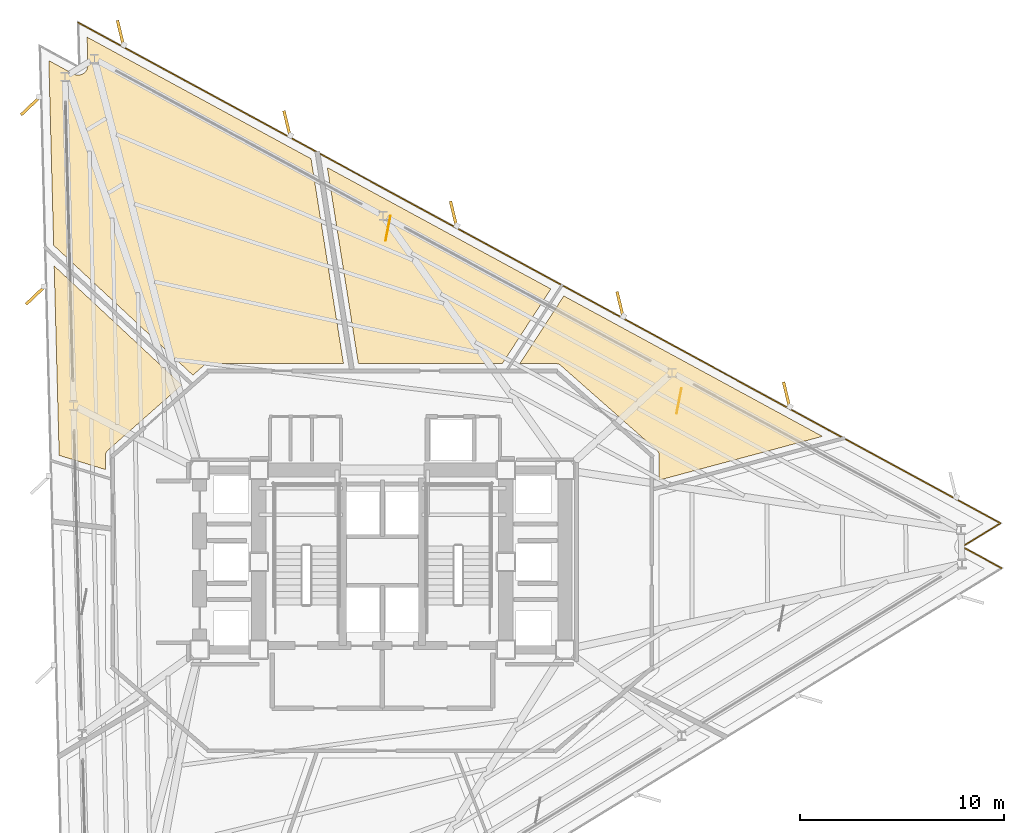
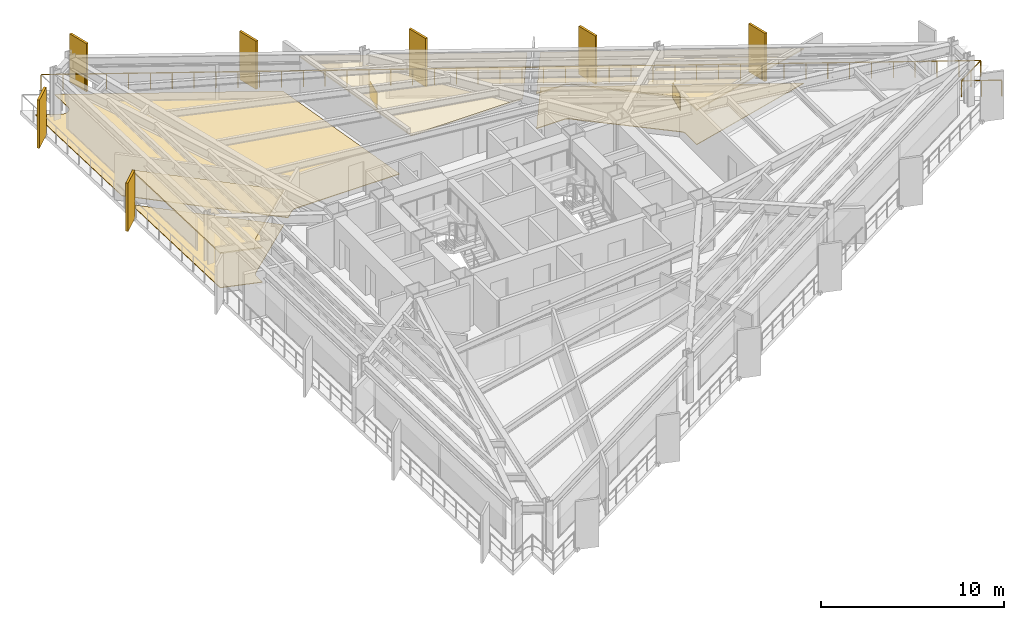
# One storey, part 14 of 14: 8 coverings, 7 shading devices, 1 railing.
"""IFC4 building model written with IfcOpenShell, lengths in metres."""

from ifc_helpers import new_model, si_unit, direction, frame, origin, origin_2d, place, context, subcontext, project, spatial, polyline, rectangle, outline, extrude, material, layer, layer_set, type_object, element, save


model = new_model("IFC4")

# Units and contexts
model_context = context("Model", 3, precision=1e-05, world=origin(), true_north=direction((0.0, 1.0)))
body_context = subcontext(model_context, "Body", "Model", "MODEL_VIEW")
ifc_project = project(units=[si_unit("LENGTHUNIT", "METRE"), si_unit("AREAUNIT", "SQUARE_METRE"), si_unit("VOLUMEUNIT", "CUBIC_METRE"), si_unit("PLANEANGLEUNIT", "RADIAN"), si_unit("MASSUNIT", "GRAM", prefix="KILO")], contexts=[model_context])

# Site, building, storey
site_placement = place(None, origin())
site = spatial("IfcSite", under=ifc_project, at=site_placement, CompositionType="ELEMENT")
building_placement = place(site_placement, origin())
building = spatial("IfcBuilding", under=site, at=building_placement, Name="Rocaltana Carrier Exchange", CompositionType="ELEMENT")
storey_placement = place(building_placement, frame((0.0, 0.0, 32.320068359375)))
storey = spatial("IfcBuildingStorey", under=building, at=storey_placement, Name="L10", CompositionType="ELEMENT", Elevation=32.320068359375)

# Coverings
ifc_material_1 = material(Name="Honed Bogota Sandstone Tile", Category="masonry")
ifc_layer_1 = layer(ifc_material_1, 0.0400390625)
ifc_layer_set_1 = layer_set([ifc_layer_1], Name="Honed Bogota Sandstone Tile")
covering_type_1 = type_object("IfcCoveringType", Name="Honed Stone Lobby Flooring 40", PredefinedType="FLOORING", material=ifc_layer_set_1)
covering_1_placement = place(storey_placement, origin())
element("IfcCovering", 1, at=covering_1_placement, inside=storey, type_object=covering_type_1, Name="L10 Peering Conference Room Finish Floor", PredefinedType="FLOORING", context=body_context, shape_type="SweptSolid", body=[
    extrude(outline(polyline([(21.55126953125, 6.1474609375), (13.56005859375, 4.006103515625), (13.56005859375, 5.199951171875), (13.559814453125, 5.213134765625), (13.559326171875, 5.220703125), (13.556884765625, 5.246826171875), (13.555908203125, 5.25439453125), (13.55078125, 5.2802734375), (13.549072265625, 5.28759765625), (13.541748046875, 5.31298828125), (13.539306640625, 5.320068359375), (13.529541015625, 5.344482421875), (13.526611328125, 5.351318359375), (13.5146484375, 5.375), (13.5107421875, 5.38134765625), (13.49658203125, 5.40380859375), (13.492431640625, 5.409912109375), (13.476318359375, 5.4306640625), (13.471435546875, 5.436279296875), (13.453369140625, 5.455810546875), (13.447998046875, 5.4609375), (13.438232421875, 5.469970703125), (8.73828125, 9.619873046875), (8.727294921875, 9.629150390625), (8.720703125, 9.63427734375), (8.697265625, 9.651123046875), (8.690185546875, 9.655517578125), (8.6650390625, 9.669921875), (8.65771484375, 9.673583984375), (8.631103515625, 9.68505859375), (8.62353515625, 9.68798828125), (8.595947265625, 9.697021484375), (8.587890625, 9.698974609375), (8.5595703125, 9.704833984375), (8.551513671875, 9.706298828125), (8.522705078125, 9.709228515625), (8.514404296875, 9.709716796875), (8.5, 9.7099609375), (6.735107421875, 9.7099609375), (8.886962890625, 13.023681640625), (21.55126953125, 6.1474609375)])), origin(), (0.0, 0.0, 1.0), 0.0400390625),
])
covering_2_placement = place(storey_placement, origin())
element("IfcCovering", 2, at=covering_2_placement, inside=storey, type_object=covering_type_1, Name="L10 Incident Briefing Room Finish Floor", PredefinedType="FLOORING", context=body_context, shape_type="SweptSolid", body=[
    extrude(outline(polyline([(-16.333984375, 24.54931640625), (-15.131103515625, 23.896484375), (-15.118896484375, 23.889892578125), (-15.100830078125, 23.88134765625), (-15.0751953125, 23.87060546875), (-15.056396484375, 23.86376953125), (-15.02978515625, 23.855712890625), (-15.01025390625, 23.8505859375), (-14.98291015625, 23.84521484375), (-14.96337890625, 23.84228515625), (-14.935546875, 23.839599609375), (-14.91552734375, 23.83837890625), (-14.8876953125, 23.838623046875), (-14.86767578125, 23.839599609375), (-14.840087890625, 23.84228515625), (-14.8203125, 23.845458984375), (-14.79296875, 23.85107421875), (-14.773681640625, 23.85595703125), (-14.746826171875, 23.8642578125), (-14.728271484375, 23.87109375), (-14.702392578125, 23.8818359375), (-14.6845703125, 23.890625), (-14.659912109375, 23.90380859375), (-14.64306640625, 23.914306640625), (-14.6201171875, 23.93017578125), (-14.60400390625, 23.942138671875), (-14.582763671875, 23.960205078125), (-14.568115234375, 23.9736328125), (-14.548583984375, 23.99365234375), (-14.535400390625, 24.0087890625), (-14.51806640625, 24.030517578125), (-14.506591796875, 24.046630859375), (-14.491455078125, 24.0703125), (-14.4814453125, 24.08740234375), (-14.46875, 24.1123046875), (-14.460693359375, 24.130615234375), (-14.450439453125, 24.156494140625), (-14.444091796875, 24.17529296875), (-14.4365234375, 24.202392578125), (-14.43212890625, 24.2216796875), (-14.42724609375, 24.249267578125), (-14.4248046875, 24.26904296875), (-14.4228515625, 24.296875), (-14.42236328125, 24.31689453125), (-14.42236328125, 24.330810546875), (-14.458251953125, 25.698974609375), (-3.49169921875, 19.74462890625), (-1.90234375, 9.7099609375), (-8.5, 9.7099609375), (-8.514404296875, 9.709716796875), (-8.522705078125, 9.709228515625), (-8.551513671875, 9.706298828125), (-8.5595703125, 9.704833984375), (-8.587890625, 9.698974609375), (-8.595947265625, 9.697021484375), (-8.62353515625, 9.68798828125), (-8.631103515625, 9.68505859375), (-8.65771484375, 9.673583984375), (-8.6650390625, 9.669921875), (-8.690185546875, 9.655517578125), (-8.697265625, 9.651123046875), (-8.720703125, 9.63427734375), (-8.727294921875, 9.629150390625), (-8.73828125, 9.619873046875), (-9.277587890625, 9.143798828125), (-16.09716796875, 15.5029296875), (-16.333984375, 24.54931640625)])), origin(), (0.0, 0.0, 1.0), 0.0400390625),
])
covering_3_placement = place(storey_placement, origin())
element("IfcCovering", 3, at=covering_3_placement, inside=storey, type_object=covering_type_1, Name="L10 Carrier Peering Suite Finish Floor", PredefinedType="FLOORING", context=body_context, shape_type="SweptSolid", body=[
    extrude(outline(polyline([(-16.07080078125, 14.493896484375), (-9.81982421875, 8.664794921875), (-13.438232421875, 5.469970703125), (-13.447998046875, 5.4609375), (-13.453369140625, 5.455810546875), (-13.471435546875, 5.436279296875), (-13.476318359375, 5.4306640625), (-13.492431640625, 5.409912109375), (-13.49658203125, 5.40380859375), (-13.5107421875, 5.38134765625), (-13.5146484375, 5.375), (-13.526611328125, 5.351318359375), (-13.529541015625, 5.344482421875), (-13.539306640625, 5.320068359375), (-13.541748046875, 5.31298828125), (-13.549072265625, 5.28759765625), (-13.55078125, 5.2802734375), (-13.555908203125, 5.25439453125), (-13.556884765625, 5.246826171875), (-13.559326171875, 5.220703125), (-13.559814453125, 5.213134765625), (-13.56005859375, 5.199951171875), (-13.56005859375, 4.522216796875), (-15.82763671875, 5.215576171875), (-16.07080078125, 14.493896484375)])), origin(), (0.0, 0.0, 1.0), 0.0400390625),
])
ifc_material_2 = material(Name="Anodised Aluminium 6063-T6", Category="aluminium")
ifc_layer_2 = layer(ifc_material_2, 0.0849609375)
ifc_layer_set_2 = layer_set([ifc_layer_2], Name="Anodised Aluminium 6063-T6")
covering_type_2 = type_object("IfcCoveringType", Name="Linear Baffle Acoustic Ceiling 85", PredefinedType="CEILING", material=ifc_layer_set_2)
covering_4_placement = place(storey_placement, frame((0.0, 0.0, 2.282958984375)))
element("IfcCovering", 4, at=covering_4_placement, inside=storey, type_object=covering_type_2, Name="L10 Peering Conference Room Acoustic Ceiling", PredefinedType="CEILING", context=body_context, shape_type="SweptSolid", body=[
    extrude(outline(polyline([(21.55126953125, 6.1474609375), (13.56005859375, 4.006103515625), (13.56005859375, 5.199951171875), (13.559814453125, 5.213134765625), (13.559326171875, 5.220703125), (13.556884765625, 5.246826171875), (13.555908203125, 5.25439453125), (13.55078125, 5.2802734375), (13.549072265625, 5.28759765625), (13.541748046875, 5.31298828125), (13.539306640625, 5.320068359375), (13.529541015625, 5.344482421875), (13.526611328125, 5.351318359375), (13.5146484375, 5.375), (13.5107421875, 5.38134765625), (13.49658203125, 5.40380859375), (13.492431640625, 5.409912109375), (13.476318359375, 5.4306640625), (13.471435546875, 5.436279296875), (13.453369140625, 5.455810546875), (13.447998046875, 5.4609375), (13.438232421875, 5.469970703125), (8.73828125, 9.619873046875), (8.727294921875, 9.629150390625), (8.720703125, 9.63427734375), (8.697265625, 9.651123046875), (8.690185546875, 9.655517578125), (8.6650390625, 9.669921875), (8.65771484375, 9.673583984375), (8.631103515625, 9.68505859375), (8.62353515625, 9.68798828125), (8.595947265625, 9.697021484375), (8.587890625, 9.698974609375), (8.5595703125, 9.704833984375), (8.551513671875, 9.706298828125), (8.522705078125, 9.709228515625), (8.514404296875, 9.709716796875), (8.5, 9.7099609375), (6.735107421875, 9.7099609375), (8.886962890625, 13.023681640625), (21.55126953125, 6.1474609375)])), origin(), (0.0, 0.0, 1.0), 0.0849609375),
])
covering_5_placement = place(storey_placement, frame((0.0, 0.0, 2.282958984375)))
element("IfcCovering", 5, at=covering_5_placement, inside=storey, type_object=covering_type_2, Name="L10 Quiet Focus Lounge Acoustic Ceiling", PredefinedType="CEILING", context=body_context, shape_type="SweptSolid", body=[
    extrude(outline(polyline([(8.252197265625, 13.3681640625), (5.87646484375, 9.7099609375), (-1.17333984375, 9.7099609375), (-2.694091796875, 19.3115234375), (8.252197265625, 13.3681640625)])), origin(), (0.0, 0.0, 1.0), 0.0849609375),
])
covering_6_placement = place(storey_placement, frame((0.0, 0.0, 2.282958984375)))
element("IfcCovering", 6, at=covering_6_placement, inside=storey, type_object=covering_type_2, Name="L10 Carrier Peering Suite Acoustic Ceiling", PredefinedType="CEILING", context=body_context, shape_type="SweptSolid", body=[
    extrude(outline(polyline([(-16.07080078125, 14.493896484375), (-9.81982421875, 8.664794921875), (-13.438232421875, 5.469970703125), (-13.447998046875, 5.4609375), (-13.453369140625, 5.455810546875), (-13.471435546875, 5.436279296875), (-13.476318359375, 5.4306640625), (-13.492431640625, 5.409912109375), (-13.49658203125, 5.40380859375), (-13.5107421875, 5.38134765625), (-13.5146484375, 5.375), (-13.526611328125, 5.351318359375), (-13.529541015625, 5.344482421875), (-13.539306640625, 5.320068359375), (-13.541748046875, 5.31298828125), (-13.549072265625, 5.28759765625), (-13.55078125, 5.2802734375), (-13.555908203125, 5.25439453125), (-13.556884765625, 5.246826171875), (-13.559326171875, 5.220703125), (-13.559814453125, 5.213134765625), (-13.56005859375, 5.199951171875), (-13.56005859375, 4.522216796875), (-15.82763671875, 5.215576171875), (-16.07080078125, 14.493896484375)])), origin(), (0.0, 0.0, 1.0), 0.0849609375),
])
ifc_material_3 = material(Name="Honed Piedra Muneca Sandstone", Category="masonry")
ifc_layer_3 = layer(ifc_material_3, 0.034912109375)
ifc_layer_set_3 = layer_set([ifc_layer_3], Name="Honed Piedra Muneca Sandstone")
covering_type_3 = type_object("IfcCoveringType", Name="Stone Facade Cladding 35", PredefinedType="CLADDING", material=ifc_layer_set_3)
for number, where, z_axis, x_axis, name in (
    (7, (14.529052734375, 7.883544921875, 0.0), (0.0, 0.0, 1.0), (0.190808995377, 0.981627183448, 0.0), "L10 Stone Facade Cladding Panel 6"),
    (8, (0.277587890625, 16.33984375, 0.0), (0.0, 0.0, 1.0), (0.190808995377, 0.981627183448, 0.0), "L10 Stone Facade Cladding Panel 7"),
):
    element("IfcCovering", number, at=place(storey_placement, frame(where, z_axis=z_axis, x_axis=x_axis)), inside=storey, type_object=covering_type_3, Name=name, PredefinedType="CLADDING", context=body_context, shape_type="SweptSolid", body=[
        extrude(rectangle(XDim=1.25, YDim=0.034912109375, at=origin_2d()), origin(), (0.0, 0.0, 1.0), 1.050048828125),
    ])

# Shading devices
ifc_material_4 = material(Name="Honed Bogota Sandstone & Concrete C45/55", Category="masonry")
ifc_layer_4 = layer(ifc_material_4, 0.139892578125)
ifc_layer_set_4 = layer_set([ifc_layer_4], Name="Honed Bogota Sandstone & Concrete C45/55")
shading_device_type = type_object("IfcShadingDeviceType", Name="Vertical Sandstone Shading Fin 1320x140", PredefinedType="USERDEFINED", material=ifc_layer_set_4)
for number, where, z_axis, x_axis, name in (
    (9, (19.802001953125, 8.16748046875, -0.1201171875), (0.0, 0.0, 1.0), (-0.233445363856, 0.972369920398, 0.0), "L10 Sandstone Vertical Fin F1-02"),
    (10, (11.646484375, 12.595703125, -0.1201171875), (0.0, 0.0, 1.0), (-0.233445363856, 0.972369920398, 0.0), "L10 Sandstone Vertical Fin F1-03"),
    (11, (3.4912109375, 17.023681640625, -0.1201171875), (0.0, 0.0, 1.0), (-0.233445363856, 0.972369920398, 0.0), "L10 Sandstone Vertical Fin F1-04"),
    (12, (-4.664306640625, 21.45166015625, -0.1201171875), (0.0, 0.0, 1.0), (-0.233445363856, 0.972369920398, 0.0), "L10 Sandstone Vertical Fin F1-05"),
    (13, (-12.819580078125, 25.879638671875, -0.1201171875), (0.0, 0.0, 1.0), (-0.233445363856, 0.972369920398, 0.0), "L10 Sandstone Vertical Fin F1-06"),
    (14, (-17.21728515625, 22.342041015625, -0.1201171875), (0.0, 0.0, 1.0), (-0.725374371012, -0.688354575694, 0.0), "L10 Sandstone Vertical Fin F2-01"),
    (15, (-16.974365234375, 13.065185546875, -0.1201171875), (0.0, 0.0, 1.0), (-0.725374371012, -0.688354575694, 0.0), "L10 Sandstone Vertical Fin F2-02"),
):
    element("IfcShadingDevice", number, at=place(storey_placement, frame(where, z_axis=z_axis, x_axis=x_axis)), inside=storey, type_object=shading_device_type, Name=name, ObjectType="FIN", PredefinedType="USERDEFINED", context=body_context, shape_type="SweptSolid", body=[
        extrude(rectangle(XDim=1.320068359375, YDim=0.139892578125, at=origin_2d()), origin(), (0.0, 0.0, 1.0), 3.218017578125),
    ])

# Railing
ifc_material_5 = material(Name="Powder-Coated Aluminium 6063-T6", Category="aluminium")
ifc_layer_5 = layer(ifc_material_5, 0.06005859375)
ifc_layer_set_5 = layer_set([ifc_layer_5], Name="Powder-Coated Aluminium 6063-T6")
railing_type = type_object("IfcRailingType", Name="Wind-Floor & Terrace Perimeter Guardrail 1100", PredefinedType="GUARDRAIL", material=ifc_layer_set_5)
railing_placement = place(storey_placement, frame((-14.897216796875, 26.415283203125, 0.0)))
element("IfcRailing", 16, at=railing_placement, inside=storey, type_object=railing_type, Name="L10 Perimeter Balcony Guardrail 3", PredefinedType="GUARDRAIL", context=body_context, shape_type="SweptSolid", body=[
    extrude(rectangle(XDim=0.048095703125, YDim=0.048095703125, at=origin_2d()), frame((0.0, 0.0, 1.076171875), z_axis=(0.878817120119, -0.477158746526, 0.0), x_axis=(0.477158746526, 0.878817120119, 0.0)), (0.0, 0.0, 1.0), 51.39208984375),
    extrude(rectangle(XDim=0.048095703125, YDim=0.048095703125, at=origin_2d()), frame((45.164306640625, -24.522216796875, 1.076171875), z_axis=(-0.852598062579, -0.522567262356, 0.0), x_axis=(0.522567262356, -0.852598062579, 0.0)), (0.0, 0.0, 1.0), 2.199951171875),
    extrude(rectangle(XDim=0.048095703125, YDim=0.048095703125, at=origin_2d()), frame((43.28857421875, -25.671875, 1.076171875), z_axis=(0.878801578058, -0.477187370331, 0.0), x_axis=(0.477187370331, 0.878801578058, 0.0)), (0.0, 0.0, 1.0), 2.199951171875),
    extrude(rectangle(XDim=0.0419921875, YDim=0.0419921875, at=origin_2d()), origin(), (0.0, 0.0, 1.0), 1.052001953125),
    extrude(rectangle(XDim=0.0419921875, YDim=0.0419921875, at=origin_2d()), frame((1.05029296875, -0.5703125, 0.0)), (0.0, 0.0, 1.0), 1.052001953125),
    extrude(rectangle(XDim=0.0419921875, YDim=0.0419921875, at=origin_2d()), frame((2.1005859375, -1.140625, 0.0)), (0.0, 0.0, 1.0), 1.052001953125),
    extrude(rectangle(XDim=0.0419921875, YDim=0.0419921875, at=origin_2d()), frame((3.15087890625, -1.7109375, 0.0)), (0.0, 0.0, 1.0), 1.052001953125),
    extrude(rectangle(XDim=0.0419921875, YDim=0.0419921875, at=origin_2d()), frame((4.201416015625, -2.28125, 0.0)), (0.0, 0.0, 1.0), 1.052001953125),
    extrude(rectangle(XDim=0.0419921875, YDim=0.0419921875, at=origin_2d()), frame((5.251708984375, -2.851318359375, 0.0)), (0.0, 0.0, 1.0), 1.052001953125),
    extrude(rectangle(XDim=0.0419921875, YDim=0.0419921875, at=origin_2d()), frame((6.302001953125, -3.421630859375, 0.0)), (0.0, 0.0, 1.0), 1.052001953125),
    extrude(rectangle(XDim=0.0419921875, YDim=0.0419921875, at=origin_2d()), frame((7.352294921875, -3.991943359375, 0.0)), (0.0, 0.0, 1.0), 1.052001953125),
    extrude(rectangle(XDim=0.0419921875, YDim=0.0419921875, at=origin_2d()), frame((8.402587890625, -4.562255859375, 0.0)), (0.0, 0.0, 1.0), 1.052001953125),
    extrude(rectangle(XDim=0.0419921875, YDim=0.0419921875, at=origin_2d()), frame((9.452880859375, -5.132568359375, 0.0)), (0.0, 0.0, 1.0), 1.052001953125),
    extrude(rectangle(XDim=0.0419921875, YDim=0.0419921875, at=origin_2d()), frame((10.50341796875, -5.702880859375, 0.0)), (0.0, 0.0, 1.0), 1.052001953125),
    extrude(rectangle(XDim=0.0419921875, YDim=0.0419921875, at=origin_2d()), frame((11.5537109375, -6.273193359375, 0.0)), (0.0, 0.0, 1.0), 1.052001953125),
    extrude(rectangle(XDim=0.0419921875, YDim=0.0419921875, at=origin_2d()), frame((12.60400390625, -6.843505859375, 0.0)), (0.0, 0.0, 1.0), 1.052001953125),
    extrude(rectangle(XDim=0.0419921875, YDim=0.0419921875, at=origin_2d()), frame((13.654296875, -7.41357421875, 0.0)), (0.0, 0.0, 1.0), 1.052001953125),
    extrude(rectangle(XDim=0.0419921875, YDim=0.0419921875, at=origin_2d()), frame((14.70458984375, -7.98388671875, 0.0)), (0.0, 0.0, 1.0), 1.052001953125),
    extrude(rectangle(XDim=0.0419921875, YDim=0.0419921875, at=origin_2d()), frame((15.7548828125, -8.55419921875, 0.0)), (0.0, 0.0, 1.0), 1.052001953125),
    extrude(rectangle(XDim=0.0419921875, YDim=0.0419921875, at=origin_2d()), frame((16.805419921875, -9.12451171875, 0.0)), (0.0, 0.0, 1.0), 1.052001953125),
    extrude(rectangle(XDim=0.0419921875, YDim=0.0419921875, at=origin_2d()), frame((17.855712890625, -9.69482421875, 0.0)), (0.0, 0.0, 1.0), 1.052001953125),
    extrude(rectangle(XDim=0.0419921875, YDim=0.0419921875, at=origin_2d()), frame((18.906005859375, -10.26513671875, 0.0)), (0.0, 0.0, 1.0), 1.052001953125),
    extrude(rectangle(XDim=0.0419921875, YDim=0.0419921875, at=origin_2d()), frame((19.956298828125, -10.83544921875, 0.0)), (0.0, 0.0, 1.0), 1.052001953125),
    extrude(rectangle(XDim=0.0419921875, YDim=0.0419921875, at=origin_2d()), frame((21.006591796875, -11.40576171875, 0.0)), (0.0, 0.0, 1.0), 1.052001953125),
    extrude(rectangle(XDim=0.0419921875, YDim=0.0419921875, at=origin_2d()), frame((22.056884765625, -11.97607421875, 0.0)), (0.0, 0.0, 1.0), 1.052001953125),
    extrude(rectangle(XDim=0.0419921875, YDim=0.0419921875, at=origin_2d()), frame((23.107421875, -12.546142578125, 0.0)), (0.0, 0.0, 1.0), 1.052001953125),
    extrude(rectangle(XDim=0.0419921875, YDim=0.0419921875, at=origin_2d()), frame((24.15771484375, -13.116455078125, 0.0)), (0.0, 0.0, 1.0), 1.052001953125),
    extrude(rectangle(XDim=0.0419921875, YDim=0.0419921875, at=origin_2d()), frame((25.2080078125, -13.686767578125, 0.0)), (0.0, 0.0, 1.0), 1.052001953125),
    extrude(rectangle(XDim=0.0419921875, YDim=0.0419921875, at=origin_2d()), frame((26.25830078125, -14.257080078125, 0.0)), (0.0, 0.0, 1.0), 1.052001953125),
    extrude(rectangle(XDim=0.0419921875, YDim=0.0419921875, at=origin_2d()), frame((27.30859375, -14.827392578125, 0.0)), (0.0, 0.0, 1.0), 1.052001953125),
    extrude(rectangle(XDim=0.0419921875, YDim=0.0419921875, at=origin_2d()), frame((28.35888671875, -15.397705078125, 0.0)), (0.0, 0.0, 1.0), 1.052001953125),
    extrude(rectangle(XDim=0.0419921875, YDim=0.0419921875, at=origin_2d()), frame((29.409423828125, -15.968017578125, 0.0)), (0.0, 0.0, 1.0), 1.052001953125),
    extrude(rectangle(XDim=0.0419921875, YDim=0.0419921875, at=origin_2d()), frame((30.459716796875, -16.538330078125, 0.0)), (0.0, 0.0, 1.0), 1.052001953125),
    extrude(rectangle(XDim=0.0419921875, YDim=0.0419921875, at=origin_2d()), frame((31.510009765625, -17.108642578125, 0.0)), (0.0, 0.0, 1.0), 1.052001953125),
    extrude(rectangle(XDim=0.0419921875, YDim=0.0419921875, at=origin_2d()), frame((32.560302734375, -17.6787109375, 0.0)), (0.0, 0.0, 1.0), 1.052001953125),
    extrude(rectangle(XDim=0.0419921875, YDim=0.0419921875, at=origin_2d()), frame((33.610595703125, -18.2490234375, 0.0)), (0.0, 0.0, 1.0), 1.052001953125),
    extrude(rectangle(XDim=0.0419921875, YDim=0.0419921875, at=origin_2d()), frame((34.660888671875, -18.8193359375, 0.0)), (0.0, 0.0, 1.0), 1.052001953125),
    extrude(rectangle(XDim=0.0419921875, YDim=0.0419921875, at=origin_2d()), frame((35.71142578125, -19.3896484375, 0.0)), (0.0, 0.0, 1.0), 1.052001953125),
    extrude(rectangle(XDim=0.0419921875, YDim=0.0419921875, at=origin_2d()), frame((36.76171875, -19.9599609375, 0.0)), (0.0, 0.0, 1.0), 1.052001953125),
    extrude(rectangle(XDim=0.0419921875, YDim=0.0419921875, at=origin_2d()), frame((37.81201171875, -20.5302734375, 0.0)), (0.0, 0.0, 1.0), 1.052001953125),
    extrude(rectangle(XDim=0.0419921875, YDim=0.0419921875, at=origin_2d()), frame((38.8623046875, -21.1005859375, 0.0)), (0.0, 0.0, 1.0), 1.052001953125),
    extrude(rectangle(XDim=0.0419921875, YDim=0.0419921875, at=origin_2d()), frame((39.91259765625, -21.6708984375, 0.0)), (0.0, 0.0, 1.0), 1.052001953125),
    extrude(rectangle(XDim=0.0419921875, YDim=0.0419921875, at=origin_2d()), frame((40.962890625, -22.240966796875, 0.0)), (0.0, 0.0, 1.0), 1.052001953125),
    extrude(rectangle(XDim=0.0419921875, YDim=0.0419921875, at=origin_2d()), frame((42.013427734375, -22.811279296875, 0.0)), (0.0, 0.0, 1.0), 1.052001953125),
    extrude(rectangle(XDim=0.0419921875, YDim=0.0419921875, at=origin_2d()), frame((43.063720703125, -23.381591796875, 0.0)), (0.0, 0.0, 1.0), 1.052001953125),
    extrude(rectangle(XDim=0.0419921875, YDim=0.0419921875, at=origin_2d()), frame((44.114013671875, -23.951904296875, 0.0)), (0.0, 0.0, 1.0), 1.052001953125),
    extrude(rectangle(XDim=0.0419921875, YDim=0.0419921875, at=origin_2d()), frame((45.164306640625, -24.522216796875, 0.0)), (0.0, 0.0, 1.0), 1.052001953125),
    extrude(rectangle(XDim=0.0419921875, YDim=0.0419921875, at=origin_2d()), frame((44.2265625, -25.09716796875, 0.0)), (0.0, 0.0, 1.0), 1.052001953125),
    extrude(rectangle(XDim=0.0419921875, YDim=0.0419921875, at=origin_2d()), frame((43.28857421875, -25.671875, 0.0)), (0.0, 0.0, 1.0), 1.052001953125),
    extrude(rectangle(XDim=0.0419921875, YDim=0.0419921875, at=origin_2d()), frame((44.25537109375, -26.19677734375, 0.0)), (0.0, 0.0, 1.0), 1.052001953125),
    extrude(rectangle(XDim=0.0419921875, YDim=0.0419921875, at=origin_2d()), frame((45.221923828125, -26.7216796875, 0.0)), (0.0, 0.0, 1.0), 1.052001953125),
])

save(model, "model.ifc")
